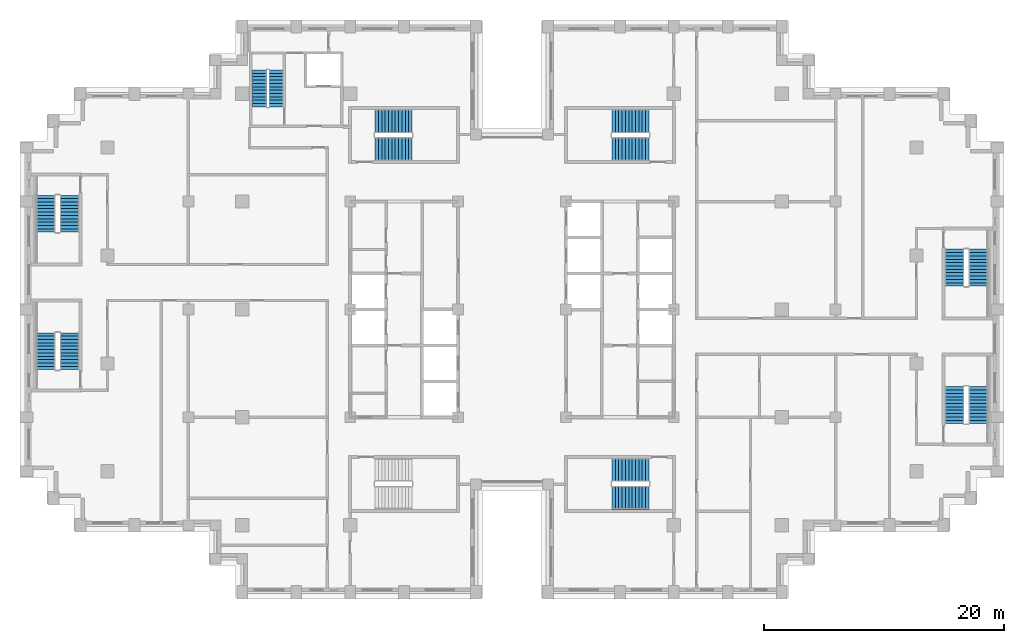
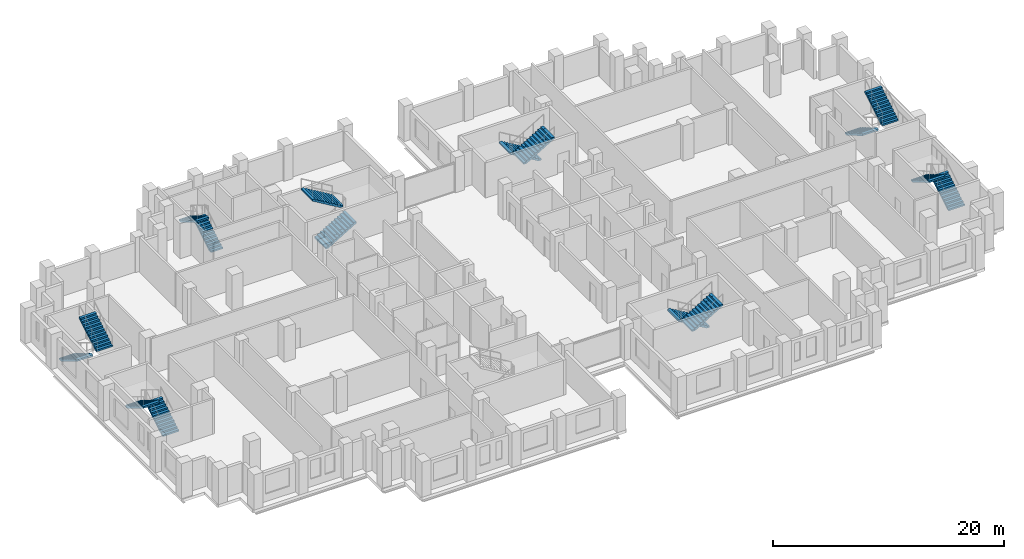
# One storey, part 13 of 15: 16 stair flights, 8 elements without a shape of their own.
"""IFC4 building model written with IfcOpenShell, lengths in metres."""

from ifc_helpers import new_model, si_unit, direction, frame, origin, place, context, subcontext, project, spatial, polyline, outline, extrude, material, type_object, element, aggregate, save


model = new_model("IFC4")

# Units and contexts
model_context = context("Model", 3, precision=1e-05, world=origin(), true_north=direction((0.0, 1.0)))
body_context = subcontext(model_context, "Body", "Model", "MODEL_VIEW")
ifc_project = project(units=[si_unit("LENGTHUNIT", "METRE"), si_unit("AREAUNIT", "SQUARE_METRE"), si_unit("VOLUMEUNIT", "CUBIC_METRE"), si_unit("PLANEANGLEUNIT", "RADIAN"), si_unit("MASSUNIT", "GRAM", prefix="KILO")], contexts=[model_context])

# Site, building, storey
site_placement = place(None, origin())
site = spatial("IfcSite", under=ifc_project, at=site_placement, CompositionType="ELEMENT")
building_placement = place(site_placement, origin())
building = spatial("IfcBuilding", under=site, at=building_placement, Name="Corbelhall Arena Tower", CompositionType="ELEMENT")
storey_placement = place(building_placement, frame((0.0, 0.0, 146.0)))
storey = spatial("IfcBuildingStorey", under=building, at=storey_placement, Name="L28", CompositionType="ELEMENT", Elevation=146.0)

# Stair, stair flights
ifc_material = material(Name="Concrete C40/50", Category="concrete")
stair_type = type_object("IfcStairType", Name="IN-ST-TOWER", PredefinedType="HALF_TURN_STAIR", material=ifc_material)
stair_1_placement = place(storey_placement, origin())
stair_1 = element("IfcStair", 1, at=stair_1_placement, inside=storey, type_object=stair_type, Name="L28 Exit stair ST1", PredefinedType="HALF_TURN_STAIR")
stair_flight_type = type_object("IfcStairFlightType", Name="IN-SFL-RC", PredefinedType="STRAIGHT", material=ifc_material)
stair_flight_1_placement = place(storey_placement, frame((-11.425048828125, 13.39990234375, 0.0), z_axis=(0.0, 0.0, 1.0), x_axis=(1.0, 0.0, 0.0)))
stair_flight_1 = element("IfcStairFlight", 2, at=stair_flight_1_placement, type_object=stair_flight_type, Name="ST1 flight 1", NumberOfRisers=12, NumberOfTreads=11, PredefinedType="STRAIGHT", RiserHeight=0.166666667, TreadLength=0.28, context=body_context, shape_type="SweptSolid", body=[
    extrude(outline(polyline([(0.0, 0.0), (0.0, 0.166748046875), (0.280029296875, 0.166748046875), (0.280029296875, 0.333251953125), (0.56005859375, 0.333251953125), (0.56005859375, 0.5), (0.840087890625, 0.5), (0.840087890625, 0.666748046875), (1.1201171875, 0.666748046875), (1.1201171875, 0.833251953125), (1.39990234375, 0.833251953125), (1.39990234375, 1.0), (1.679931640625, 1.0), (1.679931640625, 1.166748046875), (1.9599609375, 1.166748046875), (1.9599609375, 1.333251953125), (2.239990234375, 1.333251953125), (2.239990234375, 1.5), (2.52001953125, 1.5), (2.52001953125, 1.666748046875), (2.800048828125, 1.666748046875), (2.800048828125, 1.833251953125), (3.080078125, 1.833251953125), (3.080078125, 2.0), (3.080078125, 1.658935546875), (0.29296875, 0.0), (0.0, 0.0)])), frame((0.0, 0.97509765625, 0.0), z_axis=(0.0, -1.0, 0.0), x_axis=(1.0, 0.0, 0.0)), (0.0, 0.0, 1.0), 0.449951171875),
    extrude(outline(polyline([(0.0, 0.0), (0.0, 0.166748046875), (0.280029296875, 0.166748046875), (0.280029296875, 0.333251953125), (0.56005859375, 0.333251953125), (0.56005859375, 0.5), (0.840087890625, 0.5), (0.840087890625, 0.666748046875), (1.1201171875, 0.666748046875), (1.1201171875, 0.833251953125), (1.39990234375, 0.833251953125), (1.39990234375, 1.0), (1.679931640625, 1.0), (1.679931640625, 1.166748046875), (1.9599609375, 1.166748046875), (1.9599609375, 1.333251953125), (2.239990234375, 1.333251953125), (2.239990234375, 1.5), (2.52001953125, 1.5), (2.52001953125, 1.666748046875), (2.800048828125, 1.666748046875), (2.800048828125, 1.833251953125), (3.080078125, 1.833251953125), (3.080078125, 2.0), (3.080078125, 1.658935546875), (0.29296875, 0.0), (0.0, 0.0)])), frame((0.0, 0.52099609375, 0.0), z_axis=(0.0, -1.0, 0.0), x_axis=(1.0, 0.0, 0.0)), (0.0, 0.0, 1.0), 1.0419921875),
    extrude(outline(polyline([(0.0, 0.0), (0.0, 0.166748046875), (0.280029296875, 0.166748046875), (0.280029296875, 0.333251953125), (0.56005859375, 0.333251953125), (0.56005859375, 0.5), (0.840087890625, 0.5), (0.840087890625, 0.666748046875), (1.1201171875, 0.666748046875), (1.1201171875, 0.833251953125), (1.39990234375, 0.833251953125), (1.39990234375, 1.0), (1.679931640625, 1.0), (1.679931640625, 1.166748046875), (1.9599609375, 1.166748046875), (1.9599609375, 1.333251953125), (2.239990234375, 1.333251953125), (2.239990234375, 1.5), (2.52001953125, 1.5), (2.52001953125, 1.666748046875), (2.800048828125, 1.666748046875), (2.800048828125, 1.833251953125), (3.080078125, 1.833251953125), (3.080078125, 2.0), (3.080078125, 1.658935546875), (0.29296875, 0.0), (0.0, 0.0)])), frame((0.0, -0.52490234375, 0.0), z_axis=(0.0, -1.0, 0.0), x_axis=(1.0, 0.0, 0.0)), (0.0, 0.0, 1.0), 0.449951171875),
])
stair_flight_2_placement = place(storey_placement, frame((-8.344970703125, 15.699951171875, 2.0), z_axis=(0.0, 0.0, 1.0), x_axis=(-1.0, 0.0, 0.0)))
stair_flight_2 = element("IfcStairFlight", 3, at=stair_flight_2_placement, type_object=stair_flight_type, Name="ST1 flight 2", NumberOfRisers=12, NumberOfTreads=11, PredefinedType="STRAIGHT", RiserHeight=0.166666667, TreadLength=0.28, context=body_context, shape_type="SweptSolid", body=[
    extrude(outline(polyline([(0.0, 0.0), (0.0, 0.166748046875), (0.280029296875, 0.166748046875), (0.280029296875, 0.333251953125), (0.56005859375, 0.333251953125), (0.56005859375, 0.5), (0.840087890625, 0.5), (0.840087890625, 0.666748046875), (1.1201171875, 0.666748046875), (1.1201171875, 0.833251953125), (1.39990234375, 0.833251953125), (1.39990234375, 1.0), (1.679931640625, 1.0), (1.679931640625, 1.166748046875), (1.9599609375, 1.166748046875), (1.9599609375, 1.333251953125), (2.239990234375, 1.333251953125), (2.239990234375, 1.5), (2.52001953125, 1.5), (2.52001953125, 1.666748046875), (2.800048828125, 1.666748046875), (2.800048828125, 1.833251953125), (3.080078125, 1.833251953125), (3.080078125, 2.0), (3.080078125, 1.658935546875), (0.29296875, 0.0), (0.0, 0.0)])), frame((0.0, 0.97509765625, 0.0), z_axis=(0.0, -1.0, 0.0), x_axis=(1.0, 0.0, 0.0)), (0.0, 0.0, 1.0), 0.449951171875),
    extrude(outline(polyline([(0.0, 0.0), (0.0, 0.166748046875), (0.280029296875, 0.166748046875), (0.280029296875, 0.333251953125), (0.56005859375, 0.333251953125), (0.56005859375, 0.5), (0.840087890625, 0.5), (0.840087890625, 0.666748046875), (1.1201171875, 0.666748046875), (1.1201171875, 0.833251953125), (1.39990234375, 0.833251953125), (1.39990234375, 1.0), (1.679931640625, 1.0), (1.679931640625, 1.166748046875), (1.9599609375, 1.166748046875), (1.9599609375, 1.333251953125), (2.239990234375, 1.333251953125), (2.239990234375, 1.5), (2.52001953125, 1.5), (2.52001953125, 1.666748046875), (2.800048828125, 1.666748046875), (2.800048828125, 1.833251953125), (3.080078125, 1.833251953125), (3.080078125, 2.0), (3.080078125, 1.658935546875), (0.29296875, 0.0), (0.0, 0.0)])), frame((0.0, 0.52099609375, 0.0), z_axis=(0.0, -1.0, 0.0), x_axis=(1.0, 0.0, 0.0)), (0.0, 0.0, 1.0), 1.0419921875),
    extrude(outline(polyline([(0.0, 0.0), (0.0, 0.166748046875), (0.280029296875, 0.166748046875), (0.280029296875, 0.333251953125), (0.56005859375, 0.333251953125), (0.56005859375, 0.5), (0.840087890625, 0.5), (0.840087890625, 0.666748046875), (1.1201171875, 0.666748046875), (1.1201171875, 0.833251953125), (1.39990234375, 0.833251953125), (1.39990234375, 1.0), (1.679931640625, 1.0), (1.679931640625, 1.166748046875), (1.9599609375, 1.166748046875), (1.9599609375, 1.333251953125), (2.239990234375, 1.333251953125), (2.239990234375, 1.5), (2.52001953125, 1.5), (2.52001953125, 1.666748046875), (2.800048828125, 1.666748046875), (2.800048828125, 1.833251953125), (3.080078125, 1.833251953125), (3.080078125, 2.0), (3.080078125, 1.658935546875), (0.29296875, 0.0), (0.0, 0.0)])), frame((0.0, -0.52490234375, 0.0), z_axis=(0.0, -1.0, 0.0), x_axis=(1.0, 0.0, 0.0)), (0.0, 0.0, 1.0), 0.449951171875),
])
aggregate(stair_1, [stair_flight_1, stair_flight_2])

stair_2_placement = place(storey_placement, origin())
stair_2 = element("IfcStair", 4, at=stair_2_placement, inside=storey, type_object=stair_type, Name="L28 Exit stair ST3", PredefinedType="HALF_TURN_STAIR")
stair_flight_3_placement = place(storey_placement, frame((11.425048828125, 15.699951171875, 0.0), z_axis=(0.0, 0.0, 1.0), x_axis=(-1.0, 0.0, 0.0)))
stair_flight_3 = element("IfcStairFlight", 5, at=stair_flight_3_placement, type_object=stair_flight_type, Name="ST3 flight 1", NumberOfRisers=12, NumberOfTreads=11, PredefinedType="STRAIGHT", RiserHeight=0.166666667, TreadLength=0.28, context=body_context, shape_type="SweptSolid", body=[
    extrude(outline(polyline([(0.0, 0.0), (0.0, 0.166748046875), (0.280029296875, 0.166748046875), (0.280029296875, 0.333251953125), (0.56005859375, 0.333251953125), (0.56005859375, 0.5), (0.840087890625, 0.5), (0.840087890625, 0.666748046875), (1.1201171875, 0.666748046875), (1.1201171875, 0.833251953125), (1.39990234375, 0.833251953125), (1.39990234375, 1.0), (1.679931640625, 1.0), (1.679931640625, 1.166748046875), (1.9599609375, 1.166748046875), (1.9599609375, 1.333251953125), (2.239990234375, 1.333251953125), (2.239990234375, 1.5), (2.52001953125, 1.5), (2.52001953125, 1.666748046875), (2.800048828125, 1.666748046875), (2.800048828125, 1.833251953125), (3.080078125, 1.833251953125), (3.080078125, 2.0), (3.080078125, 1.658935546875), (0.29296875, 0.0), (0.0, 0.0)])), frame((0.0, 0.97509765625, 0.0), z_axis=(0.0, -1.0, 0.0), x_axis=(1.0, 0.0, 0.0)), (0.0, 0.0, 1.0), 0.449951171875),
    extrude(outline(polyline([(0.0, 0.0), (0.0, 0.166748046875), (0.280029296875, 0.166748046875), (0.280029296875, 0.333251953125), (0.56005859375, 0.333251953125), (0.56005859375, 0.5), (0.840087890625, 0.5), (0.840087890625, 0.666748046875), (1.1201171875, 0.666748046875), (1.1201171875, 0.833251953125), (1.39990234375, 0.833251953125), (1.39990234375, 1.0), (1.679931640625, 1.0), (1.679931640625, 1.166748046875), (1.9599609375, 1.166748046875), (1.9599609375, 1.333251953125), (2.239990234375, 1.333251953125), (2.239990234375, 1.5), (2.52001953125, 1.5), (2.52001953125, 1.666748046875), (2.800048828125, 1.666748046875), (2.800048828125, 1.833251953125), (3.080078125, 1.833251953125), (3.080078125, 2.0), (3.080078125, 1.658935546875), (0.29296875, 0.0), (0.0, 0.0)])), frame((0.0, 0.52099609375, 0.0), z_axis=(0.0, -1.0, 0.0), x_axis=(1.0, 0.0, 0.0)), (0.0, 0.0, 1.0), 1.0419921875),
    extrude(outline(polyline([(0.0, 0.0), (0.0, 0.166748046875), (0.280029296875, 0.166748046875), (0.280029296875, 0.333251953125), (0.56005859375, 0.333251953125), (0.56005859375, 0.5), (0.840087890625, 0.5), (0.840087890625, 0.666748046875), (1.1201171875, 0.666748046875), (1.1201171875, 0.833251953125), (1.39990234375, 0.833251953125), (1.39990234375, 1.0), (1.679931640625, 1.0), (1.679931640625, 1.166748046875), (1.9599609375, 1.166748046875), (1.9599609375, 1.333251953125), (2.239990234375, 1.333251953125), (2.239990234375, 1.5), (2.52001953125, 1.5), (2.52001953125, 1.666748046875), (2.800048828125, 1.666748046875), (2.800048828125, 1.833251953125), (3.080078125, 1.833251953125), (3.080078125, 2.0), (3.080078125, 1.658935546875), (0.29296875, 0.0), (0.0, 0.0)])), frame((0.0, -0.52490234375, 0.0), z_axis=(0.0, -1.0, 0.0), x_axis=(1.0, 0.0, 0.0)), (0.0, 0.0, 1.0), 0.449951171875),
])
stair_flight_4_placement = place(storey_placement, frame((8.344970703125, 13.39990234375, 2.0), z_axis=(0.0, 0.0, 1.0), x_axis=(1.0, 0.0, 0.0)))
stair_flight_4 = element("IfcStairFlight", 6, at=stair_flight_4_placement, type_object=stair_flight_type, Name="ST3 flight 2", NumberOfRisers=12, NumberOfTreads=11, PredefinedType="STRAIGHT", RiserHeight=0.166666667, TreadLength=0.28, context=body_context, shape_type="SweptSolid", body=[
    extrude(outline(polyline([(0.0, 0.0), (0.0, 0.166748046875), (0.280029296875, 0.166748046875), (0.280029296875, 0.333251953125), (0.56005859375, 0.333251953125), (0.56005859375, 0.5), (0.840087890625, 0.5), (0.840087890625, 0.666748046875), (1.1201171875, 0.666748046875), (1.1201171875, 0.833251953125), (1.39990234375, 0.833251953125), (1.39990234375, 1.0), (1.679931640625, 1.0), (1.679931640625, 1.166748046875), (1.9599609375, 1.166748046875), (1.9599609375, 1.333251953125), (2.239990234375, 1.333251953125), (2.239990234375, 1.5), (2.52001953125, 1.5), (2.52001953125, 1.666748046875), (2.800048828125, 1.666748046875), (2.800048828125, 1.833251953125), (3.080078125, 1.833251953125), (3.080078125, 2.0), (3.080078125, 1.658935546875), (0.29296875, 0.0), (0.0, 0.0)])), frame((0.0, 0.97509765625, 0.0), z_axis=(0.0, -1.0, 0.0), x_axis=(1.0, 0.0, 0.0)), (0.0, 0.0, 1.0), 0.449951171875),
    extrude(outline(polyline([(0.0, 0.0), (0.0, 0.166748046875), (0.280029296875, 0.166748046875), (0.280029296875, 0.333251953125), (0.56005859375, 0.333251953125), (0.56005859375, 0.5), (0.840087890625, 0.5), (0.840087890625, 0.666748046875), (1.1201171875, 0.666748046875), (1.1201171875, 0.833251953125), (1.39990234375, 0.833251953125), (1.39990234375, 1.0), (1.679931640625, 1.0), (1.679931640625, 1.166748046875), (1.9599609375, 1.166748046875), (1.9599609375, 1.333251953125), (2.239990234375, 1.333251953125), (2.239990234375, 1.5), (2.52001953125, 1.5), (2.52001953125, 1.666748046875), (2.800048828125, 1.666748046875), (2.800048828125, 1.833251953125), (3.080078125, 1.833251953125), (3.080078125, 2.0), (3.080078125, 1.658935546875), (0.29296875, 0.0), (0.0, 0.0)])), frame((0.0, 0.52099609375, 0.0), z_axis=(0.0, -1.0, 0.0), x_axis=(1.0, 0.0, 0.0)), (0.0, 0.0, 1.0), 1.0419921875),
    extrude(outline(polyline([(0.0, 0.0), (0.0, 0.166748046875), (0.280029296875, 0.166748046875), (0.280029296875, 0.333251953125), (0.56005859375, 0.333251953125), (0.56005859375, 0.5), (0.840087890625, 0.5), (0.840087890625, 0.666748046875), (1.1201171875, 0.666748046875), (1.1201171875, 0.833251953125), (1.39990234375, 0.833251953125), (1.39990234375, 1.0), (1.679931640625, 1.0), (1.679931640625, 1.166748046875), (1.9599609375, 1.166748046875), (1.9599609375, 1.333251953125), (2.239990234375, 1.333251953125), (2.239990234375, 1.5), (2.52001953125, 1.5), (2.52001953125, 1.666748046875), (2.800048828125, 1.666748046875), (2.800048828125, 1.833251953125), (3.080078125, 1.833251953125), (3.080078125, 2.0), (3.080078125, 1.658935546875), (0.29296875, 0.0), (0.0, 0.0)])), frame((0.0, -0.52490234375, 0.0), z_axis=(0.0, -1.0, 0.0), x_axis=(1.0, 0.0, 0.0)), (0.0, 0.0, 1.0), 0.449951171875),
])
aggregate(stair_2, [stair_flight_3, stair_flight_4])

stair_3_placement = place(storey_placement, origin())
stair_3 = element("IfcStair", 7, at=stair_3_placement, inside=storey, type_object=stair_type, Name="L28 Exit stair ST4", PredefinedType="HALF_TURN_STAIR")
stair_flight_5_placement = place(storey_placement, frame((11.425048828125, -13.39990234375, 0.0), z_axis=(0.0, 0.0, 1.0), x_axis=(-1.0, 0.0, 0.0)))
stair_flight_5 = element("IfcStairFlight", 8, at=stair_flight_5_placement, type_object=stair_flight_type, Name="ST4 flight 1", NumberOfRisers=12, NumberOfTreads=11, PredefinedType="STRAIGHT", RiserHeight=0.166666667, TreadLength=0.28, context=body_context, shape_type="SweptSolid", body=[
    extrude(outline(polyline([(0.0, 0.0), (0.0, 0.166748046875), (0.280029296875, 0.166748046875), (0.280029296875, 0.333251953125), (0.56005859375, 0.333251953125), (0.56005859375, 0.5), (0.840087890625, 0.5), (0.840087890625, 0.666748046875), (1.1201171875, 0.666748046875), (1.1201171875, 0.833251953125), (1.39990234375, 0.833251953125), (1.39990234375, 1.0), (1.679931640625, 1.0), (1.679931640625, 1.166748046875), (1.9599609375, 1.166748046875), (1.9599609375, 1.333251953125), (2.239990234375, 1.333251953125), (2.239990234375, 1.5), (2.52001953125, 1.5), (2.52001953125, 1.666748046875), (2.800048828125, 1.666748046875), (2.800048828125, 1.833251953125), (3.080078125, 1.833251953125), (3.080078125, 2.0), (3.080078125, 1.658935546875), (0.29296875, 0.0), (0.0, 0.0)])), frame((0.0, 0.97509765625, 0.0), z_axis=(0.0, -1.0, 0.0), x_axis=(1.0, 0.0, 0.0)), (0.0, 0.0, 1.0), 0.449951171875),
    extrude(outline(polyline([(0.0, 0.0), (0.0, 0.166748046875), (0.280029296875, 0.166748046875), (0.280029296875, 0.333251953125), (0.56005859375, 0.333251953125), (0.56005859375, 0.5), (0.840087890625, 0.5), (0.840087890625, 0.666748046875), (1.1201171875, 0.666748046875), (1.1201171875, 0.833251953125), (1.39990234375, 0.833251953125), (1.39990234375, 1.0), (1.679931640625, 1.0), (1.679931640625, 1.166748046875), (1.9599609375, 1.166748046875), (1.9599609375, 1.333251953125), (2.239990234375, 1.333251953125), (2.239990234375, 1.5), (2.52001953125, 1.5), (2.52001953125, 1.666748046875), (2.800048828125, 1.666748046875), (2.800048828125, 1.833251953125), (3.080078125, 1.833251953125), (3.080078125, 2.0), (3.080078125, 1.658935546875), (0.29296875, 0.0), (0.0, 0.0)])), frame((0.0, 0.52099609375, 0.0), z_axis=(0.0, -1.0, 0.0), x_axis=(1.0, 0.0, 0.0)), (0.0, 0.0, 1.0), 1.0419921875),
    extrude(outline(polyline([(0.0, 0.0), (0.0, 0.166748046875), (0.280029296875, 0.166748046875), (0.280029296875, 0.333251953125), (0.56005859375, 0.333251953125), (0.56005859375, 0.5), (0.840087890625, 0.5), (0.840087890625, 0.666748046875), (1.1201171875, 0.666748046875), (1.1201171875, 0.833251953125), (1.39990234375, 0.833251953125), (1.39990234375, 1.0), (1.679931640625, 1.0), (1.679931640625, 1.166748046875), (1.9599609375, 1.166748046875), (1.9599609375, 1.333251953125), (2.239990234375, 1.333251953125), (2.239990234375, 1.5), (2.52001953125, 1.5), (2.52001953125, 1.666748046875), (2.800048828125, 1.666748046875), (2.800048828125, 1.833251953125), (3.080078125, 1.833251953125), (3.080078125, 2.0), (3.080078125, 1.658935546875), (0.29296875, 0.0), (0.0, 0.0)])), frame((0.0, -0.52490234375, 0.0), z_axis=(0.0, -1.0, 0.0), x_axis=(1.0, 0.0, 0.0)), (0.0, 0.0, 1.0), 0.449951171875),
])
stair_flight_6_placement = place(storey_placement, frame((8.344970703125, -15.699951171875, 2.0), z_axis=(0.0, 0.0, 1.0), x_axis=(1.0, 0.0, 0.0)))
stair_flight_6 = element("IfcStairFlight", 9, at=stair_flight_6_placement, type_object=stair_flight_type, Name="ST4 flight 2", NumberOfRisers=12, NumberOfTreads=11, PredefinedType="STRAIGHT", RiserHeight=0.166666667, TreadLength=0.28, context=body_context, shape_type="SweptSolid", body=[
    extrude(outline(polyline([(0.0, 0.0), (0.0, 0.166748046875), (0.280029296875, 0.166748046875), (0.280029296875, 0.333251953125), (0.56005859375, 0.333251953125), (0.56005859375, 0.5), (0.840087890625, 0.5), (0.840087890625, 0.666748046875), (1.1201171875, 0.666748046875), (1.1201171875, 0.833251953125), (1.39990234375, 0.833251953125), (1.39990234375, 1.0), (1.679931640625, 1.0), (1.679931640625, 1.166748046875), (1.9599609375, 1.166748046875), (1.9599609375, 1.333251953125), (2.239990234375, 1.333251953125), (2.239990234375, 1.5), (2.52001953125, 1.5), (2.52001953125, 1.666748046875), (2.800048828125, 1.666748046875), (2.800048828125, 1.833251953125), (3.080078125, 1.833251953125), (3.080078125, 2.0), (3.080078125, 1.658935546875), (0.29296875, 0.0), (0.0, 0.0)])), frame((0.0, 0.97509765625, 0.0), z_axis=(0.0, -1.0, 0.0), x_axis=(1.0, 0.0, 0.0)), (0.0, 0.0, 1.0), 0.449951171875),
    extrude(outline(polyline([(0.0, 0.0), (0.0, 0.166748046875), (0.280029296875, 0.166748046875), (0.280029296875, 0.333251953125), (0.56005859375, 0.333251953125), (0.56005859375, 0.5), (0.840087890625, 0.5), (0.840087890625, 0.666748046875), (1.1201171875, 0.666748046875), (1.1201171875, 0.833251953125), (1.39990234375, 0.833251953125), (1.39990234375, 1.0), (1.679931640625, 1.0), (1.679931640625, 1.166748046875), (1.9599609375, 1.166748046875), (1.9599609375, 1.333251953125), (2.239990234375, 1.333251953125), (2.239990234375, 1.5), (2.52001953125, 1.5), (2.52001953125, 1.666748046875), (2.800048828125, 1.666748046875), (2.800048828125, 1.833251953125), (3.080078125, 1.833251953125), (3.080078125, 2.0), (3.080078125, 1.658935546875), (0.29296875, 0.0), (0.0, 0.0)])), frame((0.0, 0.52099609375, 0.0), z_axis=(0.0, -1.0, 0.0), x_axis=(1.0, 0.0, 0.0)), (0.0, 0.0, 1.0), 1.0419921875),
    extrude(outline(polyline([(0.0, 0.0), (0.0, 0.166748046875), (0.280029296875, 0.166748046875), (0.280029296875, 0.333251953125), (0.56005859375, 0.333251953125), (0.56005859375, 0.5), (0.840087890625, 0.5), (0.840087890625, 0.666748046875), (1.1201171875, 0.666748046875), (1.1201171875, 0.833251953125), (1.39990234375, 0.833251953125), (1.39990234375, 1.0), (1.679931640625, 1.0), (1.679931640625, 1.166748046875), (1.9599609375, 1.166748046875), (1.9599609375, 1.333251953125), (2.239990234375, 1.333251953125), (2.239990234375, 1.5), (2.52001953125, 1.5), (2.52001953125, 1.666748046875), (2.800048828125, 1.666748046875), (2.800048828125, 1.833251953125), (3.080078125, 1.833251953125), (3.080078125, 2.0), (3.080078125, 1.658935546875), (0.29296875, 0.0), (0.0, 0.0)])), frame((0.0, -0.52490234375, 0.0), z_axis=(0.0, -1.0, 0.0), x_axis=(1.0, 0.0, 0.0)), (0.0, 0.0, 1.0), 0.449951171875),
])
aggregate(stair_3, [stair_flight_5, stair_flight_6])

stair_4_placement = place(storey_placement, origin())
stair_4 = element("IfcStair", 10, at=stair_4_placement, inside=storey, type_object=stair_type, Name="L28 Exit stair SC1", PredefinedType="HALF_TURN_STAIR")
stair_flight_7_placement = place(storey_placement, frame((-38.89990234375, 9.52490234375, 0.0), z_axis=(0.0, 0.0, 1.0), x_axis=(0.0, -1.0, 0.0)))
stair_flight_7 = element("IfcStairFlight", 11, at=stair_flight_7_placement, type_object=stair_flight_type, Name="SC1 flight 1", NumberOfRisers=12, NumberOfTreads=11, PredefinedType="STRAIGHT", RiserHeight=0.166666667, TreadLength=0.28, context=body_context, shape_type="SweptSolid", body=[
    extrude(outline(polyline([(0.0, 0.0), (0.0, 0.166748046875), (0.280029296875, 0.166748046875), (0.280029296875, 0.333251953125), (0.56005859375, 0.333251953125), (0.56005859375, 0.5), (0.840087890625, 0.5), (0.840087890625, 0.666748046875), (1.1201171875, 0.666748046875), (1.1201171875, 0.833251953125), (1.39990234375, 0.833251953125), (1.39990234375, 1.0), (1.679931640625, 1.0), (1.679931640625, 1.166748046875), (1.9599609375, 1.166748046875), (1.9599609375, 1.333251953125), (2.239990234375, 1.333251953125), (2.239990234375, 1.5), (2.52001953125, 1.5), (2.52001953125, 1.666748046875), (2.800048828125, 1.666748046875), (2.800048828125, 1.833251953125), (3.080078125, 1.833251953125), (3.080078125, 2.0), (3.080078125, 1.658935546875), (0.29296875, 0.0), (0.0, 0.0)])), frame((0.0, 0.800048828125, 0.0), z_axis=(0.0, -1.0, 0.0), x_axis=(1.0, 0.0, 0.0)), (0.0, 0.0, 1.0), 1.60009765625),
])
stair_flight_8_placement = place(storey_placement, frame((-36.925048828125, 6.445068359375, 2.0), z_axis=(0.0, 0.0, 1.0), x_axis=(0.0, 1.0, 0.0)))
stair_flight_8 = element("IfcStairFlight", 12, at=stair_flight_8_placement, type_object=stair_flight_type, Name="SC1 flight 2", NumberOfRisers=12, NumberOfTreads=11, PredefinedType="STRAIGHT", RiserHeight=0.166666667, TreadLength=0.28, context=body_context, shape_type="SweptSolid", body=[
    extrude(outline(polyline([(0.0, 0.0), (0.0, 0.166748046875), (0.280029296875, 0.166748046875), (0.280029296875, 0.333251953125), (0.56005859375, 0.333251953125), (0.56005859375, 0.5), (0.840087890625, 0.5), (0.840087890625, 0.666748046875), (1.1201171875, 0.666748046875), (1.1201171875, 0.833251953125), (1.39990234375, 0.833251953125), (1.39990234375, 1.0), (1.679931640625, 1.0), (1.679931640625, 1.166748046875), (1.9599609375, 1.166748046875), (1.9599609375, 1.333251953125), (2.239990234375, 1.333251953125), (2.239990234375, 1.5), (2.52001953125, 1.5), (2.52001953125, 1.666748046875), (2.800048828125, 1.666748046875), (2.800048828125, 1.833251953125), (3.080078125, 1.833251953125), (3.080078125, 2.0), (3.080078125, 1.658935546875), (0.29296875, 0.0), (0.0, 0.0)])), frame((0.0, 0.800048828125, 0.0), z_axis=(0.0, -1.0, 0.0), x_axis=(1.0, 0.0, 0.0)), (0.0, 0.0, 1.0), 1.60009765625),
])
aggregate(stair_4, [stair_flight_7, stair_flight_8])

stair_5_placement = place(storey_placement, origin())
stair_5 = element("IfcStair", 13, at=stair_5_placement, inside=storey, type_object=stair_type, Name="L28 Exit stair SC2", PredefinedType="HALF_TURN_STAIR")
stair_flight_9_placement = place(storey_placement, frame((-36.925048828125, -5.02490234375, 0.0), z_axis=(0.0, 0.0, 1.0), x_axis=(0.0, 1.0, 0.0)))
stair_flight_9 = element("IfcStairFlight", 14, at=stair_flight_9_placement, type_object=stair_flight_type, Name="SC2 flight 1", NumberOfRisers=12, NumberOfTreads=11, PredefinedType="STRAIGHT", RiserHeight=0.166666667, TreadLength=0.28, context=body_context, shape_type="SweptSolid", body=[
    extrude(outline(polyline([(0.0, 0.0), (0.0, 0.166748046875), (0.280029296875, 0.166748046875), (0.280029296875, 0.333251953125), (0.56005859375, 0.333251953125), (0.56005859375, 0.5), (0.840087890625, 0.5), (0.840087890625, 0.666748046875), (1.1201171875, 0.666748046875), (1.1201171875, 0.833251953125), (1.39990234375, 0.833251953125), (1.39990234375, 1.0), (1.679931640625, 1.0), (1.679931640625, 1.166748046875), (1.9599609375, 1.166748046875), (1.9599609375, 1.333251953125), (2.239990234375, 1.333251953125), (2.239990234375, 1.5), (2.52001953125, 1.5), (2.52001953125, 1.666748046875), (2.800048828125, 1.666748046875), (2.800048828125, 1.833251953125), (3.080078125, 1.833251953125), (3.080078125, 2.0), (3.080078125, 1.658935546875), (0.29296875, 0.0), (0.0, 0.0)])), frame((0.0, 0.800048828125, 0.0), z_axis=(0.0, -1.0, 0.0), x_axis=(1.0, 0.0, 0.0)), (0.0, 0.0, 1.0), 1.60009765625),
])
stair_flight_10_placement = place(storey_placement, frame((-38.89990234375, -1.945068359375, 2.0), z_axis=(0.0, 0.0, 1.0), x_axis=(0.0, -1.0, 0.0)))
stair_flight_10 = element("IfcStairFlight", 15, at=stair_flight_10_placement, type_object=stair_flight_type, Name="SC2 flight 2", NumberOfRisers=12, NumberOfTreads=11, PredefinedType="STRAIGHT", RiserHeight=0.166666667, TreadLength=0.28, context=body_context, shape_type="SweptSolid", body=[
    extrude(outline(polyline([(0.0, 0.0), (0.0, 0.166748046875), (0.280029296875, 0.166748046875), (0.280029296875, 0.333251953125), (0.56005859375, 0.333251953125), (0.56005859375, 0.5), (0.840087890625, 0.5), (0.840087890625, 0.666748046875), (1.1201171875, 0.666748046875), (1.1201171875, 0.833251953125), (1.39990234375, 0.833251953125), (1.39990234375, 1.0), (1.679931640625, 1.0), (1.679931640625, 1.166748046875), (1.9599609375, 1.166748046875), (1.9599609375, 1.333251953125), (2.239990234375, 1.333251953125), (2.239990234375, 1.5), (2.52001953125, 1.5), (2.52001953125, 1.666748046875), (2.800048828125, 1.666748046875), (2.800048828125, 1.833251953125), (3.080078125, 1.833251953125), (3.080078125, 2.0), (3.080078125, 1.658935546875), (0.29296875, 0.0), (0.0, 0.0)])), frame((0.0, 0.800048828125, 0.0), z_axis=(0.0, -1.0, 0.0), x_axis=(1.0, 0.0, 0.0)), (0.0, 0.0, 1.0), 1.60009765625),
])
aggregate(stair_5, [stair_flight_9, stair_flight_10])

stair_6_placement = place(storey_placement, origin())
stair_6 = element("IfcStair", 16, at=stair_6_placement, inside=storey, type_object=stair_type, Name="L28 Exit stair SD1", PredefinedType="HALF_TURN_STAIR")
stair_flight_11_placement = place(storey_placement, frame((38.89990234375, -9.52490234375, 0.0), z_axis=(0.0, 0.0, 1.0), x_axis=(0.0, 1.0, 0.0)))
stair_flight_11 = element("IfcStairFlight", 17, at=stair_flight_11_placement, type_object=stair_flight_type, Name="SD1 flight 1", NumberOfRisers=12, NumberOfTreads=11, PredefinedType="STRAIGHT", RiserHeight=0.166666667, TreadLength=0.28, context=body_context, shape_type="SweptSolid", body=[
    extrude(outline(polyline([(0.0, 0.0), (0.0, 0.166748046875), (0.280029296875, 0.166748046875), (0.280029296875, 0.333251953125), (0.56005859375, 0.333251953125), (0.56005859375, 0.5), (0.840087890625, 0.5), (0.840087890625, 0.666748046875), (1.1201171875, 0.666748046875), (1.1201171875, 0.833251953125), (1.39990234375, 0.833251953125), (1.39990234375, 1.0), (1.679931640625, 1.0), (1.679931640625, 1.166748046875), (1.9599609375, 1.166748046875), (1.9599609375, 1.333251953125), (2.239990234375, 1.333251953125), (2.239990234375, 1.5), (2.52001953125, 1.5), (2.52001953125, 1.666748046875), (2.800048828125, 1.666748046875), (2.800048828125, 1.833251953125), (3.080078125, 1.833251953125), (3.080078125, 2.0), (3.080078125, 1.658935546875), (0.29296875, 0.0), (0.0, 0.0)])), frame((0.0, 0.800048828125, 0.0), z_axis=(0.0, -1.0, 0.0), x_axis=(1.0, 0.0, 0.0)), (0.0, 0.0, 1.0), 1.60009765625),
])
stair_flight_12_placement = place(storey_placement, frame((36.925048828125, -6.445068359375, 2.0), z_axis=(0.0, 0.0, 1.0), x_axis=(0.0, -1.0, 0.0)))
stair_flight_12 = element("IfcStairFlight", 18, at=stair_flight_12_placement, type_object=stair_flight_type, Name="SD1 flight 2", NumberOfRisers=12, NumberOfTreads=11, PredefinedType="STRAIGHT", RiserHeight=0.166666667, TreadLength=0.28, context=body_context, shape_type="SweptSolid", body=[
    extrude(outline(polyline([(0.0, 0.0), (0.0, 0.166748046875), (0.280029296875, 0.166748046875), (0.280029296875, 0.333251953125), (0.56005859375, 0.333251953125), (0.56005859375, 0.5), (0.840087890625, 0.5), (0.840087890625, 0.666748046875), (1.1201171875, 0.666748046875), (1.1201171875, 0.833251953125), (1.39990234375, 0.833251953125), (1.39990234375, 1.0), (1.679931640625, 1.0), (1.679931640625, 1.166748046875), (1.9599609375, 1.166748046875), (1.9599609375, 1.333251953125), (2.239990234375, 1.333251953125), (2.239990234375, 1.5), (2.52001953125, 1.5), (2.52001953125, 1.666748046875), (2.800048828125, 1.666748046875), (2.800048828125, 1.833251953125), (3.080078125, 1.833251953125), (3.080078125, 2.0), (3.080078125, 1.658935546875), (0.29296875, 0.0), (0.0, 0.0)])), frame((0.0, 0.800048828125, 0.0), z_axis=(0.0, -1.0, 0.0), x_axis=(1.0, 0.0, 0.0)), (0.0, 0.0, 1.0), 1.60009765625),
])
aggregate(stair_6, [stair_flight_11, stair_flight_12])

stair_7_placement = place(storey_placement, origin())
stair_7 = element("IfcStair", 19, at=stair_7_placement, inside=storey, type_object=stair_type, Name="L28 Exit stair SD2", PredefinedType="HALF_TURN_STAIR")
stair_flight_13_placement = place(storey_placement, frame((36.925048828125, 5.02490234375, 0.0), z_axis=(0.0, 0.0, 1.0), x_axis=(0.0, -1.0, 0.0)))
stair_flight_13 = element("IfcStairFlight", 20, at=stair_flight_13_placement, type_object=stair_flight_type, Name="SD2 flight 1", NumberOfRisers=12, NumberOfTreads=11, PredefinedType="STRAIGHT", RiserHeight=0.166666667, TreadLength=0.28, context=body_context, shape_type="SweptSolid", body=[
    extrude(outline(polyline([(0.0, 0.0), (0.0, 0.166748046875), (0.280029296875, 0.166748046875), (0.280029296875, 0.333251953125), (0.56005859375, 0.333251953125), (0.56005859375, 0.5), (0.840087890625, 0.5), (0.840087890625, 0.666748046875), (1.1201171875, 0.666748046875), (1.1201171875, 0.833251953125), (1.39990234375, 0.833251953125), (1.39990234375, 1.0), (1.679931640625, 1.0), (1.679931640625, 1.166748046875), (1.9599609375, 1.166748046875), (1.9599609375, 1.333251953125), (2.239990234375, 1.333251953125), (2.239990234375, 1.5), (2.52001953125, 1.5), (2.52001953125, 1.666748046875), (2.800048828125, 1.666748046875), (2.800048828125, 1.833251953125), (3.080078125, 1.833251953125), (3.080078125, 2.0), (3.080078125, 1.658935546875), (0.29296875, 0.0), (0.0, 0.0)])), frame((0.0, 0.800048828125, 0.0), z_axis=(0.0, -1.0, 0.0), x_axis=(1.0, 0.0, 0.0)), (0.0, 0.0, 1.0), 1.60009765625),
])
stair_flight_14_placement = place(storey_placement, frame((38.89990234375, 1.945068359375, 2.0), z_axis=(0.0, 0.0, 1.0), x_axis=(0.0, 1.0, 0.0)))
stair_flight_14 = element("IfcStairFlight", 21, at=stair_flight_14_placement, type_object=stair_flight_type, Name="SD2 flight 2", NumberOfRisers=12, NumberOfTreads=11, PredefinedType="STRAIGHT", RiserHeight=0.166666667, TreadLength=0.28, context=body_context, shape_type="SweptSolid", body=[
    extrude(outline(polyline([(0.0, 0.0), (0.0, 0.166748046875), (0.280029296875, 0.166748046875), (0.280029296875, 0.333251953125), (0.56005859375, 0.333251953125), (0.56005859375, 0.5), (0.840087890625, 0.5), (0.840087890625, 0.666748046875), (1.1201171875, 0.666748046875), (1.1201171875, 0.833251953125), (1.39990234375, 0.833251953125), (1.39990234375, 1.0), (1.679931640625, 1.0), (1.679931640625, 1.166748046875), (1.9599609375, 1.166748046875), (1.9599609375, 1.333251953125), (2.239990234375, 1.333251953125), (2.239990234375, 1.5), (2.52001953125, 1.5), (2.52001953125, 1.666748046875), (2.800048828125, 1.666748046875), (2.800048828125, 1.833251953125), (3.080078125, 1.833251953125), (3.080078125, 2.0), (3.080078125, 1.658935546875), (0.29296875, 0.0), (0.0, 0.0)])), frame((0.0, 0.800048828125, 0.0), z_axis=(0.0, -1.0, 0.0), x_axis=(1.0, 0.0, 0.0)), (0.0, 0.0, 1.0), 1.60009765625),
])
aggregate(stair_7, [stair_flight_13, stair_flight_14])

stair_8_placement = place(storey_placement, origin())
stair_8 = element("IfcStair", 22, at=stair_8_placement, inside=storey, type_object=stair_type, Name="L28 Exit stair ST5", PredefinedType="HALF_TURN_STAIR")
stair_flight_15_placement = place(storey_placement, frame((-19.695068359375, 16.89990234375, 0.0), z_axis=(0.0, 0.0, 1.0), x_axis=(0.0, 1.0, 0.0)))
stair_flight_15 = element("IfcStairFlight", 23, at=stair_flight_15_placement, type_object=stair_flight_type, Name="ST5 flight 1", NumberOfRisers=12, NumberOfTreads=11, PredefinedType="STRAIGHT", RiserHeight=0.166666667, TreadLength=0.28, context=body_context, shape_type="SweptSolid", body=[
    extrude(outline(polyline([(0.0, 0.0), (0.0, 0.166748046875), (0.280029296875, 0.166748046875), (0.280029296875, 0.333251953125), (0.56005859375, 0.333251953125), (0.56005859375, 0.5), (0.840087890625, 0.5), (0.840087890625, 0.666748046875), (1.1201171875, 0.666748046875), (1.1201171875, 0.833251953125), (1.39990234375, 0.833251953125), (1.39990234375, 1.0), (1.679931640625, 1.0), (1.679931640625, 1.166748046875), (1.9599609375, 1.166748046875), (1.9599609375, 1.333251953125), (2.239990234375, 1.333251953125), (2.239990234375, 1.5), (2.52001953125, 1.5), (2.52001953125, 1.666748046875), (2.800048828125, 1.666748046875), (2.800048828125, 1.833251953125), (3.080078125, 1.833251953125), (3.080078125, 2.0), (3.080078125, 1.658935546875), (0.29296875, 0.0), (0.0, 0.0)])), frame((0.0, 0.60009765625, 0.0), z_axis=(0.0, -1.0, 0.0), x_axis=(1.0, 0.0, 0.0)), (0.0, 0.0, 1.0), 1.199951171875),
])
stair_flight_16_placement = place(storey_placement, frame((-21.094970703125, 19.97998046875, 2.0), z_axis=(0.0, 0.0, 1.0), x_axis=(0.0, -1.0, 0.0)))
stair_flight_16 = element("IfcStairFlight", 24, at=stair_flight_16_placement, type_object=stair_flight_type, Name="ST5 flight 2", NumberOfRisers=12, NumberOfTreads=11, PredefinedType="STRAIGHT", RiserHeight=0.166666667, TreadLength=0.28, context=body_context, shape_type="SweptSolid", body=[
    extrude(outline(polyline([(0.0, 0.0), (0.0, 0.166748046875), (0.280029296875, 0.166748046875), (0.280029296875, 0.333251953125), (0.56005859375, 0.333251953125), (0.56005859375, 0.5), (0.840087890625, 0.5), (0.840087890625, 0.666748046875), (1.1201171875, 0.666748046875), (1.1201171875, 0.833251953125), (1.39990234375, 0.833251953125), (1.39990234375, 1.0), (1.679931640625, 1.0), (1.679931640625, 1.166748046875), (1.9599609375, 1.166748046875), (1.9599609375, 1.333251953125), (2.239990234375, 1.333251953125), (2.239990234375, 1.5), (2.52001953125, 1.5), (2.52001953125, 1.666748046875), (2.800048828125, 1.666748046875), (2.800048828125, 1.833251953125), (3.080078125, 1.833251953125), (3.080078125, 2.0), (3.080078125, 1.658935546875), (0.29296875, 0.0), (0.0, 0.0)])), frame((0.0, 0.60009765625, 0.0), z_axis=(0.0, -1.0, 0.0), x_axis=(1.0, 0.0, 0.0)), (0.0, 0.0, 1.0), 1.199951171875),
])
aggregate(stair_8, [stair_flight_15, stair_flight_16])

save(model, "model.ifc")
